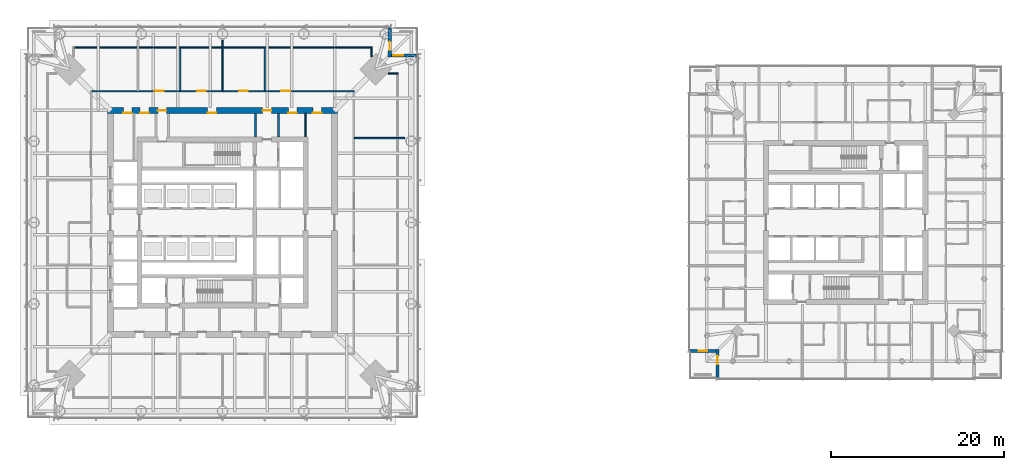
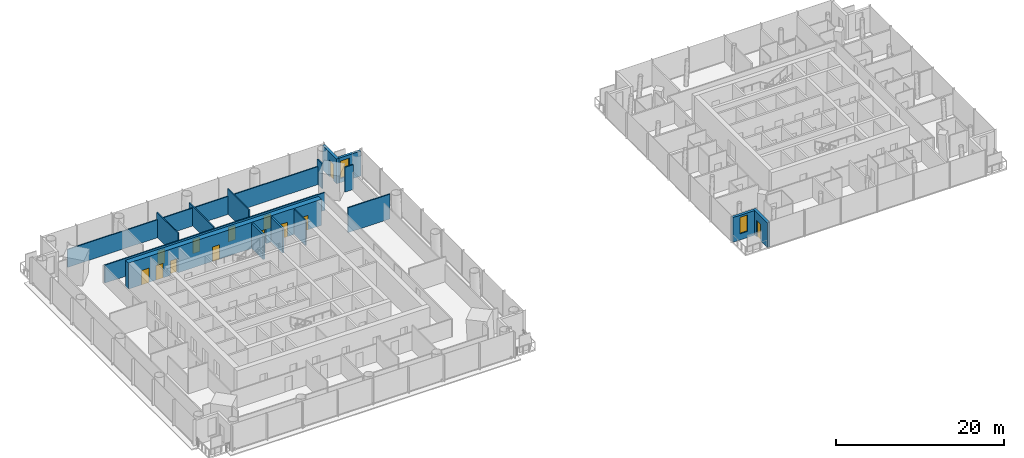
# One storey, part 12 of 27: 16 walls, 13 doors, 2 windows, 15 openings.
"""IFC4 building model written with IfcOpenShell, lengths in metres."""

from ifc_helpers import new_model, si_unit, direction, frame, frame_2d, origin, place, context, subcontext, project, spatial, rectangle, extrude, material, layer, layer_set, type_object, element, fill, save


model = new_model("IFC4")

# Units and contexts
model_context = context("Model", 3, precision=1e-05, world=origin(), true_north=direction((0.0, 1.0)))
body_context = subcontext(model_context, "Body", "Model", "MODEL_VIEW")
ifc_project = project(units=[si_unit("LENGTHUNIT", "METRE"), si_unit("AREAUNIT", "SQUARE_METRE"), si_unit("VOLUMEUNIT", "CUBIC_METRE"), si_unit("PLANEANGLEUNIT", "RADIAN"), si_unit("MASSUNIT", "GRAM", prefix="KILO")], contexts=[model_context])

# Site, building, storey
site_placement = place(None, origin())
site = spatial("IfcSite", under=ifc_project, at=site_placement, CompositionType="ELEMENT")
building_placement = place(site_placement, origin())
building = spatial("IfcBuilding", under=site, at=building_placement, Name="Ostroluk Exchange", CompositionType="ELEMENT")
storey_placement = place(building_placement, frame((0.0, 0.0, 89.39990234375)))
storey = spatial("IfcBuildingStorey", under=building, at=storey_placement, Name="L22", CompositionType="ELEMENT", Elevation=89.39990234375)

# Walls
ifc_material_1 = material(Name="Concrete blockwork", Category="masonry")
ifc_layer_1 = layer(ifc_material_1, 0.14990234375)
ifc_layer_set_1 = layer_set([ifc_layer_1], Name="Blockwork plant room wall 150")
wall_type_1 = type_object("IfcWallType", Name="Blockwork plant room wall 150", PredefinedType="SOLIDWALL", material=ifc_layer_set_1)
wall_1_placement = place(storey_placement, frame((54.60009765625, 55.89990234375, 0.0), z_axis=(0.0, 0.0, 1.0), x_axis=(0.0, 1.0, 0.0)))
element("IfcWall", 1, at=wall_1_placement, inside=storey, type_object=wall_type_1, Name="Core room wall", PredefinedType="SOLIDWALL", context=body_context, shape_type="SweptSolid", body=[
    extrude(rectangle(XDim=2.7001953125, YDim=0.14990234375, at=frame_2d((1.35009765625, 0.0))), origin(), (0.0, 0.0, 1.0), 3.6201171875),
])
ifc_material_2 = material(Name="Concrete blockwork", Category="masonry")
ifc_layer_2 = layer(ifc_material_2, 0.25)
ifc_layer_set_2 = layer_set([ifc_layer_2], Name="Blockwork stair enclosure wall 250")
wall_type_2 = type_object("IfcWallType", Name="Blockwork stair enclosure wall 250", PredefinedType="SOLIDWALL", material=ifc_layer_set_2)
for number, where, z_axis, x_axis, name in (
    (2, (48.804931640625, 55.89990234375, 0.0), (0.0, 0.0, 1.0), (0.0, 1.0, 0.0), "Fire lobby enclosure wall"),
    (3, (51.47509765625, 55.89990234375, 0.0), (0.0, 0.0, 1.0), (0.0, 1.0, 0.0), "Fire lobby enclosure wall"),
):
    element("IfcWall", number, at=place(storey_placement, frame(where, z_axis=z_axis, x_axis=x_axis)), inside=storey, type_object=wall_type_2, Name=name, PredefinedType="SOLIDWALL", context=body_context, shape_type="SweptSolid", body=[
        extrude(rectangle(XDim=2.7001953125, YDim=0.25, at=frame_2d((1.35009765625, 0.0))), origin(), (0.0, 0.0, 1.0), 3.6201171875),
    ])

# Wall, openings, doors
ifc_material_3 = material(Name="Concrete C50/60", Category="concrete")
ifc_layer_3 = layer(ifc_material_3, 0.699951171875)
ifc_layer_set_3 = layer_set([ifc_layer_3], Name="Core wall 700 C50/60")
wall_type_3 = type_object("IfcWallType", Name="Core wall 700 C50/60", PredefinedType="SHEAR", material=ifc_layer_set_3)
wall_2_placement = place(storey_placement, frame((31.699951171875, 58.949951171875, 0.0), z_axis=(0.0, 0.0, 1.0), x_axis=(1.0, 0.0, 0.0)))
wall_2 = element("IfcWall", 4, at=wall_2_placement, inside=storey, type_object=wall_type_3, Name="T1 core wall RN", PredefinedType="SHEAR", context=body_context, shape_type="SweptSolid", body=[
    extrude(rectangle(XDim=26.60009765625, YDim=0.699951171875, at=frame_2d((13.300048828125, 0.0))), origin(), (0.0, 0.0, 1.0), 3.800048828125),
])
opening_1_placement = place(wall_2_placement, frame((17.93994140625, 0.0, 0.0)))
opening_1 = element("IfcOpeningElement", 5, at=opening_1_placement, cuts=wall_2, Name="Opening FD60", PredefinedType="OPENING", context=body_context, shape_type="SweptSolid", body=[
    extrude(rectangle(XDim=1.0, YDim=2.10009765625, at=frame_2d((0.5, 1.050048828125))), frame((0.0, 0.35986328125, 0.0), z_axis=(0.0, -1.0, 0.0), x_axis=(1.0, 0.0, 0.0)), (0.0, 0.0, 1.0), 0.719970703125),
])
opening_2_placement = place(wall_2_placement, frame((5.824951171875, 0.0, 0.0)))
opening_2 = element("IfcOpeningElement", 6, at=opening_2_placement, cuts=wall_2, Name="Opening FD60", PredefinedType="OPENING", context=body_context, shape_type="SweptSolid", body=[
    extrude(rectangle(XDim=1.0, YDim=2.10009765625, at=frame_2d((0.5, 1.050048828125))), frame((0.0, 0.35986328125, 0.0), z_axis=(0.0, -1.0, 0.0), x_axis=(1.0, 0.0, 0.0)), (0.0, 0.0, 1.0), 0.719970703125),
])
opening_3_placement = place(wall_2_placement, frame((1.83740234375, 0.0, 0.0)))
opening_3 = element("IfcOpeningElement", 7, at=opening_3_placement, cuts=wall_2, Name="Opening FD60", PredefinedType="OPENING", context=body_context, shape_type="SweptSolid", body=[
    extrude(rectangle(XDim=1.0, YDim=2.10009765625, at=frame_2d((0.5, 1.050048828125))), frame((0.0, 0.35986328125, 0.0), z_axis=(0.0, -1.0, 0.0), x_axis=(1.0, 0.0, 0.0)), (0.0, 0.0, 1.0), 0.719970703125),
])
opening_4_placement = place(wall_2_placement, frame((3.78125, 0.0, 0.0)))
opening_4 = element("IfcOpeningElement", 8, at=opening_4_placement, cuts=wall_2, Name="Opening FD60", PredefinedType="OPENING", context=body_context, shape_type="SweptSolid", body=[
    extrude(rectangle(XDim=1.0, YDim=2.10009765625, at=frame_2d((0.5, 1.050048828125))), frame((0.0, 0.35986328125, 0.0), z_axis=(0.0, -1.0, 0.0), x_axis=(1.0, 0.0, 0.0)), (0.0, 0.0, 1.0), 0.719970703125),
])
opening_5_placement = place(wall_2_placement, frame((11.577392578125, 0.0, 0.0)))
opening_5 = element("IfcOpeningElement", 9, at=opening_5_placement, cuts=wall_2, Name="Opening FD60", PredefinedType="OPENING", context=body_context, shape_type="SweptSolid", body=[
    extrude(rectangle(XDim=1.0, YDim=2.10009765625, at=frame_2d((0.5, 1.050048828125))), frame((0.0, 0.35986328125, 0.0), z_axis=(0.0, -1.0, 0.0), x_axis=(1.0, 0.0, 0.0)), (0.0, 0.0, 1.0), 0.719970703125),
])
opening_6_placement = place(wall_2_placement, frame((20.89990234375, 0.0, 0.0)))
opening_6 = element("IfcOpeningElement", 10, at=opening_6_placement, cuts=wall_2, Name="Opening FD60", PredefinedType="OPENING", context=body_context, shape_type="SweptSolid", body=[
    extrude(rectangle(XDim=1.0, YDim=2.10009765625, at=frame_2d((0.5, 1.050048828125))), frame((0.0, 0.35986328125, 0.0), z_axis=(0.0, -1.0, 0.0), x_axis=(1.0, 0.0, 0.0)), (0.0, 0.0, 1.0), 0.719970703125),
])
opening_7_placement = place(wall_2_placement, frame((23.75, 0.0, 0.0)))
opening_7 = element("IfcOpeningElement", 11, at=opening_7_placement, cuts=wall_2, Name="Opening FD60", PredefinedType="OPENING", context=body_context, shape_type="SweptSolid", body=[
    extrude(rectangle(XDim=1.0, YDim=2.10009765625, at=frame_2d((0.5, 1.050048828125))), frame((0.0, 0.35986328125, 0.0), z_axis=(0.0, -1.0, 0.0), x_axis=(1.0, 0.0, 0.0)), (0.0, 0.0, 1.0), 0.719970703125),
])
ifc_material_4 = material(Name="Steel", Category="steel")
door_type_1 = type_object("IfcDoorType", Name="Fire door EI 60 1000 x 2100", OperationType="SINGLE_SWING_LEFT", PredefinedType="DOOR", material=ifc_material_4)
door_1_placement = place(opening_1_placement, origin())
door_1 = element("IfcDoor", 12, at=door_1_placement, inside=storey, type_object=door_type_1, Name="Firefighting lobby door", OperationType="SINGLE_SWING_RIGHT", OverallHeight=2.10009765625, OverallWidth=1.0, PredefinedType="DOOR", context=body_context, shape_type="SweptSolid", body=[
    extrude(rectangle(XDim=1.0, YDim=2.10009765625, at=frame_2d((0.5, 1.050048828125))), frame((0.0, 0.02490234375, 0.0), z_axis=(0.0, -1.0, 0.0), x_axis=(1.0, 0.0, 0.0)), (0.0, 0.0, 1.0), 0.050048828125),
])
fill(opening_1, door_1)
door_2_placement = place(opening_2_placement, origin())
door_2 = element("IfcDoor", 13, at=door_2_placement, inside=storey, type_object=door_type_1, Name="Core corridor door", OperationType="SINGLE_SWING_LEFT", OverallHeight=2.10009765625, OverallWidth=1.0, PredefinedType="DOOR", context=body_context, shape_type="SweptSolid", body=[
    extrude(rectangle(XDim=1.0, YDim=2.10009765625, at=frame_2d((0.5, 1.050048828125))), frame((0.0, 0.02490234375, 0.0), z_axis=(0.0, -1.0, 0.0), x_axis=(1.0, 0.0, 0.0)), (0.0, 0.0, 1.0), 0.050048828125),
])
fill(opening_2, door_2)
door_3_placement = place(opening_3_placement, origin())
door_3 = element("IfcDoor", 14, at=door_3_placement, inside=storey, type_object=door_type_1, Name="First aid room door", OperationType="SINGLE_SWING_LEFT", OverallHeight=2.10009765625, OverallWidth=1.0, PredefinedType="DOOR", context=body_context, shape_type="SweptSolid", body=[
    extrude(rectangle(XDim=1.0, YDim=2.10009765625, at=frame_2d((0.5, 1.050048828125))), frame((0.0, -0.2900390625, 0.0), z_axis=(0.0, -1.0, 0.0), x_axis=(1.0, 0.0, 0.0)), (0.0, 0.0, 1.0), 0.050048828125),
])
fill(opening_3, door_3)
door_4_placement = place(opening_4_placement, origin())
door_4 = element("IfcDoor", 15, at=door_4_placement, inside=storey, type_object=door_type_1, Name="Concierge office door", OperationType="SINGLE_SWING_LEFT", OverallHeight=2.10009765625, OverallWidth=1.0, PredefinedType="DOOR", context=body_context, shape_type="SweptSolid", body=[
    extrude(rectangle(XDim=1.0, YDim=2.10009765625, at=frame_2d((0.5, 1.050048828125))), frame((0.0, -0.2900390625, 0.0), z_axis=(0.0, -1.0, 0.0), x_axis=(1.0, 0.0, 0.0)), (0.0, 0.0, 1.0), 0.050048828125),
])
fill(opening_4, door_4)
door_5_placement = place(opening_5_placement, origin())
door_5 = element("IfcDoor", 16, at=door_5_placement, inside=storey, type_object=door_type_1, Name="Staff room door", OperationType="SINGLE_SWING_LEFT", OverallHeight=2.10009765625, OverallWidth=1.0, PredefinedType="DOOR", context=body_context, shape_type="SweptSolid", body=[
    extrude(rectangle(XDim=1.0, YDim=2.10009765625, at=frame_2d((0.5, 1.050048828125))), frame((0.0, -0.2900390625, 0.0), z_axis=(0.0, -1.0, 0.0), x_axis=(1.0, 0.0, 0.0)), (0.0, 0.0, 1.0), 0.050048828125),
])
fill(opening_5, door_5)
door_6_placement = place(opening_6_placement, origin())
door_6 = element("IfcDoor", 17, at=door_6_placement, inside=storey, type_object=door_type_1, Name="Lost property office door", OperationType="SINGLE_SWING_RIGHT", OverallHeight=2.10009765625, OverallWidth=1.0, PredefinedType="DOOR", context=body_context, shape_type="SweptSolid", body=[
    extrude(rectangle(XDim=1.0, YDim=2.10009765625, at=frame_2d((0.5, 1.050048828125))), frame((0.0, -0.2900390625, 0.0), z_axis=(0.0, -1.0, 0.0), x_axis=(1.0, 0.0, 0.0)), (0.0, 0.0, 1.0), 0.050048828125),
])
fill(opening_6, door_6)
door_7_placement = place(opening_7_placement, origin())
door_7 = element("IfcDoor", 18, at=door_7_placement, inside=storey, type_object=door_type_1, Name="Staff room door", OperationType="SINGLE_SWING_RIGHT", OverallHeight=2.10009765625, OverallWidth=1.0, PredefinedType="DOOR", context=body_context, shape_type="SweptSolid", body=[
    extrude(rectangle(XDim=1.0, YDim=2.10009765625, at=frame_2d((0.5, 1.050048828125))), frame((0.0, -0.2900390625, 0.0), z_axis=(0.0, -1.0, 0.0), x_axis=(1.0, 0.0, 0.0)), (0.0, 0.0, 1.0), 0.050048828125),
])
fill(opening_7, door_7)

# Wall, opening, door
ifc_material_5 = material(Name="Limestone", Category="masonry")
ifc_layer_4 = layer(ifc_material_5, 0.35009765625)
ifc_layer_set_4 = layer_set([ifc_layer_4], Name="Limestone facade wall 350")
wall_type_4 = type_object("IfcWallType", Name="Limestone facade wall 350", PredefinedType="SOLIDWALL", material=ifc_layer_set_4)
wall_3_placement = place(storey_placement, frame((64.324951171875, 68.5, 0.0), z_axis=(0.0, 0.0, 1.0), x_axis=(0.0, -1.0, 0.0)))
wall_3 = element("IfcWall", 19, at=wall_3_placement, inside=storey, type_object=wall_type_4, Name="Office tower NE corner wall L22 a", PredefinedType="SOLIDWALL", context=body_context, shape_type="SweptSolid", body=[
    extrude(rectangle(XDim=3.35009765625, YDim=0.35009765625, at=frame_2d((1.675048828125, 0.0))), origin(), (0.0, 0.0, 1.0), 3.6201171875),
])
opening_8_placement = place(wall_3_placement, frame((1.60009765625, 0.0, 0.0)))
opening_8 = element("IfcOpeningElement", 20, at=opening_8_placement, cuts=wall_3, Name="Opening D-B1", PredefinedType="OPENING", context=body_context, shape_type="SweptSolid", body=[
    extrude(rectangle(XDim=1.0, YDim=2.39990234375, at=frame_2d((0.5, 1.199951171875))), frame((0.0, 0.18505859375, 0.0), z_axis=(0.0, -1.0, 0.0), x_axis=(1.0, 0.0, 0.0)), (0.0, 0.0, 1.0), 0.3701171875),
])
ifc_material_6 = material(Name="Bronze framed glazed door", Category="aluminium")
door_type_2 = type_object("IfcDoorType", Name="Balcony door 1000 x 2400", OperationType="SINGLE_SWING_LEFT", PredefinedType="DOOR", material=ifc_material_6)
door_8_placement = place(opening_8_placement, origin())
door_8 = element("IfcDoor", 21, at=door_8_placement, inside=storey, type_object=door_type_2, Name="Office tower NE balcony door L22", OperationType="SINGLE_SWING_RIGHT", OverallHeight=2.39990234375, OverallWidth=1.0, PredefinedType="DOOR", context=body_context, shape_type="SweptSolid", body=[
    extrude(rectangle(XDim=1.0, YDim=2.39990234375, at=frame_2d((0.5, 1.199951171875))), frame((0.0, 0.02490234375, 0.0), z_axis=(0.0, -1.0, 0.0), x_axis=(1.0, 0.0, 0.0)), (0.0, 0.0, 1.0), 0.050048828125),
])
fill(opening_8, door_8)

# Wall, opening, window
wall_4_placement = place(storey_placement, frame((64.5, 65.324951171875, 0.0), z_axis=(0.0, 0.0, 1.0), x_axis=(1.0, 0.0, 0.0)))
wall_4 = element("IfcWall", 22, at=wall_4_placement, inside=storey, type_object=wall_type_4, Name="Office tower NE corner wall L22 b", PredefinedType="SOLIDWALL", context=body_context, shape_type="SweptSolid", body=[
    extrude(rectangle(XDim=3.0, YDim=0.35009765625, at=frame_2d((1.5, 0.0))), origin(), (0.0, 0.0, 1.0), 3.6201171875),
])
opening_9_placement = place(wall_4_placement, frame((0.199951171875, 0.0, 0.60009765625)))
opening_9 = element("IfcOpeningElement", 23, at=opening_9_placement, cuts=wall_4, Name="Opening WN-L1", PredefinedType="OPENING", context=body_context, shape_type="SweptSolid", body=[
    extrude(rectangle(XDim=1.199951171875, YDim=2.550048828125, at=frame_2d((0.60009765625, 1.27490234375))), frame((0.0, 0.18505859375, 0.0), z_axis=(0.0, -1.0, 0.0), x_axis=(1.0, 0.0, 0.0)), (0.0, 0.0, 1.0), 0.3701171875),
])
ifc_material_7 = material(Name="Laminated clear glass", Category="glass")
window_type_1 = type_object("IfcWindowType", Name="Lancet window 1200 x 2550", PartitioningType="SINGLE_PANEL", PredefinedType="WINDOW", material=ifc_material_7)
window_1_placement = place(opening_9_placement, origin())
window_1 = element("IfcWindow", 24, at=window_1_placement, inside=storey, type_object=window_type_1, Name="Office tower NE lancet window L22", OverallHeight=2.550048828125, OverallWidth=1.199951171875, PartitioningType="SINGLE_PANEL", PredefinedType="WINDOW", context=body_context, shape_type="SweptSolid", body=[
    extrude(rectangle(XDim=1.199951171875, YDim=2.550048828125, at=frame_2d((0.60009765625, 1.27490234375))), frame((0.0, 0.030029296875, 0.0), z_axis=(0.0, -1.0, 0.0), x_axis=(1.0, 0.0, 0.0)), (0.0, 0.0, 1.0), 0.06005859375),
])
fill(opening_9, window_1)

# Wall, opening, door
wall_5_placement = place(storey_placement, frame((102.175048828125, 28.0, 0.0), z_axis=(0.0, 0.0, 1.0), x_axis=(0.0, 1.0, 0.0)))
wall_5 = element("IfcWall", 25, at=wall_5_placement, inside=storey, type_object=wall_type_4, Name="Hotel tower SW corner wall L22 a", PredefinedType="SOLIDWALL", context=body_context, shape_type="SweptSolid", body=[
    extrude(rectangle(XDim=3.35009765625, YDim=0.35009765625, at=frame_2d((1.675048828125, 0.0))), origin(), (0.0, 0.0, 1.0), 3.60009765625),
])
opening_10_placement = place(wall_5_placement, frame((1.60009765625, 0.0, 0.0)))
opening_10 = element("IfcOpeningElement", 26, at=opening_10_placement, cuts=wall_5, Name="Opening D-B1", PredefinedType="OPENING", context=body_context, shape_type="SweptSolid", body=[
    extrude(rectangle(XDim=1.0, YDim=2.39990234375, at=frame_2d((0.5, 1.199951171875))), frame((0.0, 0.18505859375, 0.0), z_axis=(0.0, -1.0, 0.0), x_axis=(1.0, 0.0, 0.0)), (0.0, 0.0, 1.0), 0.3701171875),
])
door_9_placement = place(opening_10_placement, origin())
door_9 = element("IfcDoor", 27, at=door_9_placement, inside=storey, type_object=door_type_2, Name="Hotel tower SW balcony door L22", OperationType="SINGLE_SWING_RIGHT", OverallHeight=2.39990234375, OverallWidth=1.0, PredefinedType="DOOR", context=body_context, shape_type="SweptSolid", body=[
    extrude(rectangle(XDim=1.0, YDim=2.39990234375, at=frame_2d((0.5, 1.199951171875))), frame((0.0, 0.02490234375, 0.0), z_axis=(0.0, -1.0, 0.0), x_axis=(1.0, 0.0, 0.0)), (0.0, 0.0, 1.0), 0.050048828125),
])
fill(opening_10, door_9)

# Wall, opening, window
wall_6_placement = place(storey_placement, frame((102.0, 31.175048828125, 0.0), z_axis=(0.0, 0.0, 1.0), x_axis=(-1.0, 0.0, 0.0)))
wall_6 = element("IfcWall", 28, at=wall_6_placement, inside=storey, type_object=wall_type_4, Name="Hotel tower SW corner wall L22 b", PredefinedType="SOLIDWALL", context=body_context, shape_type="SweptSolid", body=[
    extrude(rectangle(XDim=3.0, YDim=0.35009765625, at=frame_2d((1.5, 0.0))), origin(), (0.0, 0.0, 1.0), 3.60009765625),
])
opening_11_placement = place(wall_6_placement, frame((1.0, 0.0, 0.89990234375)))
opening_11 = element("IfcOpeningElement", 29, at=opening_11_placement, cuts=wall_6, Name="Opening WN-L3", PredefinedType="OPENING", context=body_context, shape_type="SweptSolid", body=[
    extrude(rectangle(XDim=1.0, YDim=2.39990234375, at=frame_2d((0.5, 1.199951171875))), frame((0.0, 0.18505859375, 0.0), z_axis=(0.0, -1.0, 0.0), x_axis=(1.0, 0.0, 0.0)), (0.0, 0.0, 1.0), 0.3701171875),
])
ifc_material_8 = material(Name="Laminated clear glass", Category="glass")
window_type_2 = type_object("IfcWindowType", Name="Hotel lancet window 1000 x 2400", PartitioningType="SINGLE_PANEL", PredefinedType="WINDOW", material=ifc_material_8)
window_2_placement = place(opening_11_placement, origin())
window_2 = element("IfcWindow", 30, at=window_2_placement, inside=storey, type_object=window_type_2, Name="Hotel tower SW lancet window L22", OverallHeight=2.39990234375, OverallWidth=1.0, PartitioningType="SINGLE_PANEL", PredefinedType="WINDOW", context=body_context, shape_type="SweptSolid", body=[
    extrude(rectangle(XDim=1.0, YDim=2.39990234375, at=frame_2d((0.5, 1.199951171875))), frame((0.0, 0.030029296875, 0.0), z_axis=(0.0, -1.0, 0.0), x_axis=(1.0, 0.0, 0.0)), (0.0, 0.0, 1.0), 0.06005859375),
])
fill(opening_11, window_2)

# Wall
ifc_material_9 = material(Name="Gypsum plasterboard partition", Category="gypsum")
ifc_layer_5 = layer(ifc_material_9, 0.14990234375)
ifc_layer_set_5 = layer_set([ifc_layer_5], Name="Plasterboard partition 150")
wall_type_5 = type_object("IfcWallType", Name="Plasterboard partition 150", PredefinedType="PARTITIONING", material=ifc_layer_set_5)
wall_7_placement = place(storey_placement, frame((60.25, 55.75, 0.0), z_axis=(0.0, 0.0, 1.0), x_axis=(1.0, 0.0, 0.0)))
element("IfcWall", 31, at=wall_7_placement, inside=storey, type_object=wall_type_5, Name="Partition", PredefinedType="PARTITIONING", context=body_context, shape_type="SweptSolid", body=[
    extrude(rectangle(XDim=5.7900390625, YDim=0.14990234375, at=frame_2d((2.89501953125, 0.0))), origin(), (0.0, 0.0, 1.0), 3.6201171875),
])

# Wall, openings, doors
wall_8_placement = place(storey_placement, frame((60.25, 61.175048828125, 0.0), z_axis=(0.0, 0.0, 1.0), x_axis=(-1.0, 0.0, 0.0)))
wall_8 = element("IfcWall", 32, at=wall_8_placement, inside=storey, type_object=wall_type_5, Name="Partition", PredefinedType="PARTITIONING", context=body_context, shape_type="SweptSolid", body=[
    extrude(rectangle(XDim=30.35009765625, YDim=0.14990234375, at=frame_2d((15.175048828125, 0.0))), origin(), (0.0, 0.0, 1.0), 2.612060546875),
])
opening_12_placement = place(wall_8_placement, frame((7.4375, 0.0, 0.0)))
opening_12 = element("IfcOpeningElement", 33, at=opening_12_placement, cuts=wall_8, Name="Opening D-03", PredefinedType="OPENING", context=body_context, shape_type="SweptSolid", body=[
    extrude(rectangle(XDim=1.0, YDim=2.10009765625, at=frame_2d((0.5, 1.050048828125))), frame((0.0, 0.0849609375, 0.0), z_axis=(0.0, -1.0, 0.0), x_axis=(1.0, 0.0, 0.0)), (0.0, 0.0, 1.0), 0.169921875),
])
opening_13_placement = place(wall_8_placement, frame((12.3125, 0.0, 0.0)))
opening_13 = element("IfcOpeningElement", 34, at=opening_13_placement, cuts=wall_8, Name="Opening D-03", PredefinedType="OPENING", context=body_context, shape_type="SweptSolid", body=[
    extrude(rectangle(XDim=1.0, YDim=2.10009765625, at=frame_2d((0.5, 1.050048828125))), frame((0.0, 0.0849609375, 0.0), z_axis=(0.0, -1.0, 0.0), x_axis=(1.0, 0.0, 0.0)), (0.0, 0.0, 1.0), 0.169921875),
])
opening_14_placement = place(wall_8_placement, frame((17.1875, 0.0, 0.0)))
opening_14 = element("IfcOpeningElement", 35, at=opening_14_placement, cuts=wall_8, Name="Opening D-03", PredefinedType="OPENING", context=body_context, shape_type="SweptSolid", body=[
    extrude(rectangle(XDim=1.0, YDim=2.10009765625, at=frame_2d((0.5, 1.050048828125))), frame((0.0, 0.0849609375, 0.0), z_axis=(0.0, -1.0, 0.0), x_axis=(1.0, 0.0, 0.0)), (0.0, 0.0, 1.0), 0.169921875),
])
opening_15_placement = place(wall_8_placement, frame((22.0625, 0.0, 0.0)))
opening_15 = element("IfcOpeningElement", 36, at=opening_15_placement, cuts=wall_8, Name="Opening D-03", PredefinedType="OPENING", context=body_context, shape_type="SweptSolid", body=[
    extrude(rectangle(XDim=1.0, YDim=2.10009765625, at=frame_2d((0.5, 1.050048828125))), frame((0.0, 0.0849609375, 0.0), z_axis=(0.0, -1.0, 0.0), x_axis=(1.0, 0.0, 0.0)), (0.0, 0.0, 1.0), 0.169921875),
])
ifc_material_10 = material(Name="Timber", Category="wood")
door_type_3 = type_object("IfcDoorType", Name="Internal door 1000 x 2100", OperationType="SINGLE_SWING_LEFT", PredefinedType="DOOR", material=ifc_material_10)
door_10_placement = place(opening_12_placement, origin())
door_10 = element("IfcDoor", 37, at=door_10_placement, inside=storey, type_object=door_type_3, Name="Meeting room door", OperationType="SINGLE_SWING_LEFT", OverallHeight=2.10009765625, OverallWidth=1.0, PredefinedType="DOOR", context=body_context, shape_type="SweptSolid", body=[
    extrude(rectangle(XDim=1.0, YDim=2.10009765625, at=frame_2d((0.5, 1.050048828125))), frame((0.0, 0.02490234375, 0.0), z_axis=(0.0, -1.0, 0.0), x_axis=(1.0, 0.0, 0.0)), (0.0, 0.0, 1.0), 0.050048828125),
])
fill(opening_12, door_10)
door_11_placement = place(opening_13_placement, origin())
door_11 = element("IfcDoor", 38, at=door_11_placement, inside=storey, type_object=door_type_3, Name="Meeting room door", OperationType="SINGLE_SWING_LEFT", OverallHeight=2.10009765625, OverallWidth=1.0, PredefinedType="DOOR", context=body_context, shape_type="SweptSolid", body=[
    extrude(rectangle(XDim=1.0, YDim=2.10009765625, at=frame_2d((0.5, 1.050048828125))), frame((0.0, 0.02490234375, 0.0), z_axis=(0.0, -1.0, 0.0), x_axis=(1.0, 0.0, 0.0)), (0.0, 0.0, 1.0), 0.050048828125),
])
fill(opening_13, door_11)
door_12_placement = place(opening_14_placement, origin())
door_12 = element("IfcDoor", 39, at=door_12_placement, inside=storey, type_object=door_type_3, Name="Meeting room door", OperationType="SINGLE_SWING_RIGHT", OverallHeight=2.10009765625, OverallWidth=1.0, PredefinedType="DOOR", context=body_context, shape_type="SweptSolid", body=[
    extrude(rectangle(XDim=1.0, YDim=2.10009765625, at=frame_2d((0.5, 1.050048828125))), frame((0.0, 0.02490234375, 0.0), z_axis=(0.0, -1.0, 0.0), x_axis=(1.0, 0.0, 0.0)), (0.0, 0.0, 1.0), 0.050048828125),
])
fill(opening_14, door_12)
door_13_placement = place(opening_15_placement, origin())
door_13 = element("IfcDoor", 40, at=door_13_placement, inside=storey, type_object=door_type_3, Name="Meeting room door", OperationType="SINGLE_SWING_RIGHT", OverallHeight=2.10009765625, OverallWidth=1.0, PredefinedType="DOOR", context=body_context, shape_type="SweptSolid", body=[
    extrude(rectangle(XDim=1.0, YDim=2.10009765625, at=frame_2d((0.5, 1.050048828125))), frame((0.0, 0.02490234375, 0.0), z_axis=(0.0, -1.0, 0.0), x_axis=(1.0, 0.0, 0.0)), (0.0, 0.0, 1.0), 0.050048828125),
])
fill(opening_15, door_13)

# Walls
wall_9_placement = place(storey_placement, frame((49.875, 61.25, 0.0), z_axis=(0.0, 0.0, 1.0), x_axis=(0.0, 1.0, 0.0)))
element("IfcWall", 41, at=wall_9_placement, inside=storey, type_object=wall_type_5, Name="Partition", PredefinedType="PARTITIONING", context=body_context, shape_type="SweptSolid", body=[
    extrude(rectangle(XDim=5.050048828125, YDim=0.14990234375, at=frame_2d((2.52490234375, 0.0))), origin(), (0.0, 0.0, 1.0), 3.6201171875),
])
wall_10_placement = place(storey_placement, frame((45.0, 61.25, 0.0), z_axis=(0.0, 0.0, 1.0), x_axis=(0.0, 1.0, 0.0)))
element("IfcWall", 42, at=wall_10_placement, inside=storey, type_object=wall_type_5, Name="Partition", PredefinedType="PARTITIONING", context=body_context, shape_type="SweptSolid", body=[
    extrude(rectangle(XDim=5.7900390625, YDim=0.14990234375, at=frame_2d((2.89501953125, 0.0))), origin(), (0.0, 0.0, 1.0), 2.858154296875),
])
wall_11_placement = place(storey_placement, frame((40.125, 61.25, 0.0), z_axis=(0.0, 0.0, 1.0), x_axis=(0.0, 1.0, 0.0)))
element("IfcWall", 43, at=wall_11_placement, inside=storey, type_object=wall_type_5, Name="Partition", PredefinedType="PARTITIONING", context=body_context, shape_type="SweptSolid", body=[
    extrude(rectangle(XDim=5.050048828125, YDim=0.14990234375, at=frame_2d((2.52490234375, 0.0))), origin(), (0.0, 0.0, 1.0), 3.6201171875),
])
wall_12_placement = place(storey_placement, frame((27.699951171875, 66.22509765625, 0.0), z_axis=(0.0, 0.0, 1.0), x_axis=(1.0, 0.0, 0.0)))
element("IfcWall", 44, at=wall_12_placement, inside=storey, type_object=wall_type_5, Name="Truss zone partition", PredefinedType="PARTITIONING", context=body_context, shape_type="SweptSolid", body=[
    extrude(rectangle(XDim=34.60009765625, YDim=0.14990234375, at=frame_2d((17.300048828125, 0.0))), origin(), (0.0, 0.0, 1.0), 2.612060546875),
])
for number, where, z_axis, x_axis, name in (
    (45, (62.22509765625, 66.300048828125, 0.0), (0.0, 0.0, 1.0), (0.0, -1.0, 0.0), "Truss zone partition"),
    (46, (64.138427734375, 63.22509765625, 0.0), (0.0, 0.0, 1.0), (1.0, 0.0, 0.0), "Truss zone partition"),
):
    element("IfcWall", number, at=place(storey_placement, frame(where, z_axis=z_axis, x_axis=x_axis)), inside=storey, type_object=wall_type_5, Name=name, PredefinedType="PARTITIONING", context=body_context, shape_type="SweptSolid", body=[
        extrude(rectangle(XDim=1.16162109375, YDim=0.14990234375, at=frame_2d((0.580810546875, 0.0))), origin(), (0.0, 0.0, 1.0), 3.6201171875),
    ])

save(model, "model.ifc")
